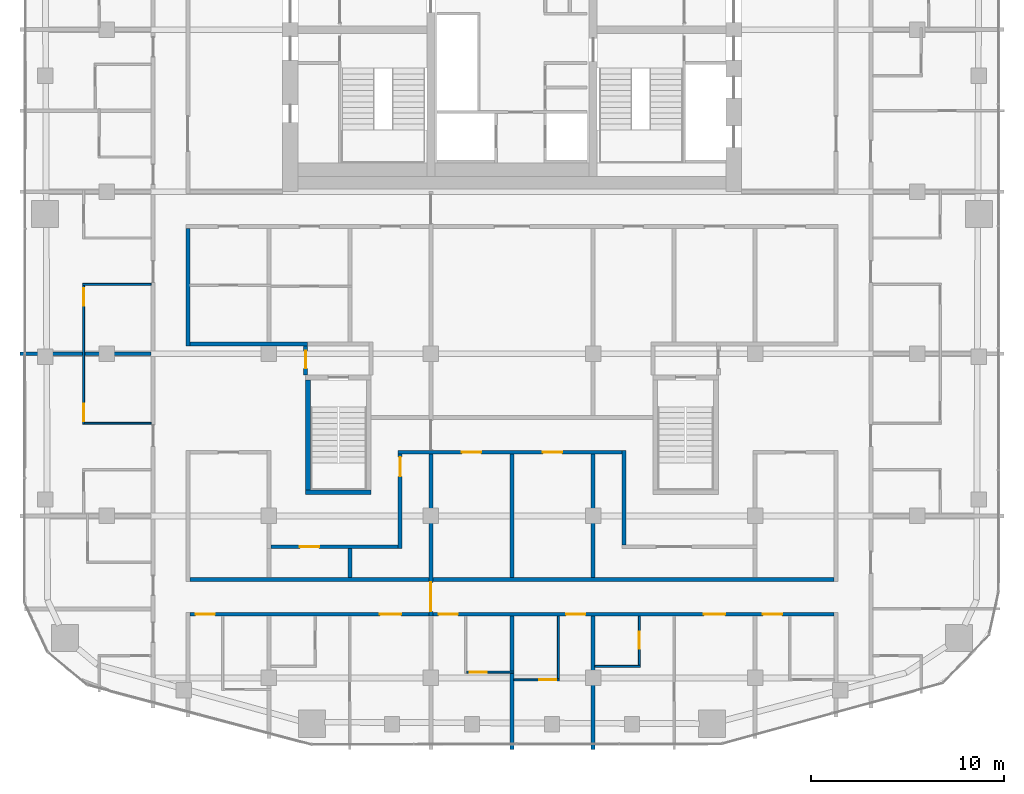
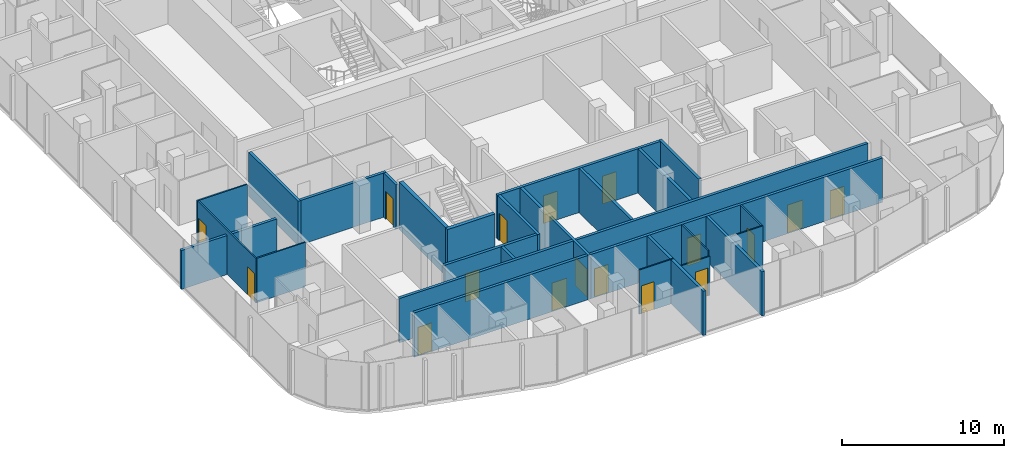
# One storey, part 14 of 22: 26 walls, 17 doors, 17 openings.
"""IFC4 building model written with IfcOpenShell, lengths in metres."""

from ifc_helpers import new_model, si_unit, direction, frame, frame_2d, origin, place, context, subcontext, project, spatial, rectangle, extrude, material, layer, layer_set, type_object, element, fill, save


model = new_model("IFC4")

# Units and contexts
model_context = context("Model", 3, precision=1e-05, world=origin(), true_north=direction((0.0, 1.0)))
body_context = subcontext(model_context, "Body", "Model", "MODEL_VIEW")
ifc_project = project(units=[si_unit("LENGTHUNIT", "METRE"), si_unit("AREAUNIT", "SQUARE_METRE"), si_unit("VOLUMEUNIT", "CUBIC_METRE"), si_unit("PLANEANGLEUNIT", "RADIAN"), si_unit("MASSUNIT", "GRAM", prefix="KILO")], contexts=[model_context])

# Site, building, storey
site_placement = place(None, origin())
site = spatial("IfcSite", under=ifc_project, at=site_placement, CompositionType="ELEMENT")
building_placement = place(site_placement, origin())
building = spatial("IfcBuilding", under=site, at=building_placement, Name="Marenta Gate Hotel Tower", CompositionType="ELEMENT")
storey_placement = place(building_placement, frame((0.0, 0.0, 230.89990234375)))
storey = spatial("IfcBuildingStorey", under=building, at=storey_placement, Name="L54", CompositionType="ELEMENT", Elevation=230.89990234375)

# Wall, opening, door
ifc_material_1 = material(Name="Concrete blockwork", Category="masonry")
ifc_layer_1 = layer(ifc_material_1, 0.199951171875)
ifc_layer_set_1 = layer_set([ifc_layer_1], Name="Concrete blockwork")
wall_type_1 = type_object("IfcWallType", Name="Compartment wall 200 REI 180", PredefinedType="PARTITIONING", material=ifc_layer_set_1)
wall_1_placement = place(storey_placement, frame((-4.199951171875, -22.0, 0.0), z_axis=(0.0, 0.0, 1.0), x_axis=(0.0, 1.0, 0.0)))
wall_1 = element("IfcWall", 1, at=wall_1_placement, inside=storey, type_object=wall_type_1, Name="L54-PTN-W079", PredefinedType="PARTITIONING", context=body_context, shape_type="SweptSolid", body=[
    extrude(rectangle(XDim=8.39990234375, YDim=0.199951171875, at=frame_2d((4.199951171875, 0.0))), origin(), (0.0, 0.0, 1.0), 3.340087890625),
])
opening_1_placement = place(wall_1_placement, frame((0.25, 0.0, 0.0)))
opening_1 = element("IfcOpeningElement", 2, at=opening_1_placement, cuts=wall_1, Name="Opening G20-FD4", PredefinedType="OPENING", context=body_context, shape_type="SweptSolid", body=[
    extrude(rectangle(XDim=1.5, YDim=2.10009765625, at=frame_2d((0.75, 1.050048828125))), frame((0.0, 0.10009765625, 0.0), z_axis=(0.0, -1.0, 0.0), x_axis=(1.0, 0.0, 0.0)), (0.0, 0.0, 1.0), 0.199951171875),
])
ifc_material_2 = material(Name="Hollow steel door set", Category="steel")
door_type_1 = type_object("IfcDoorType", Name="Compartment fire door 1500x2100 EI 60", OperationType="DOUBLE_DOOR_DOUBLE_SWING", PredefinedType="DOOR", material=ifc_material_2)
door_1_placement = place(opening_1_placement, origin())
door_1 = element("IfcDoor", 3, at=door_1_placement, inside=storey, type_object=door_type_1, Name="L54-PD-FD04", OperationType="DOUBLE_DOOR_DOUBLE_SWING", OverallHeight=2.10009765625, OverallWidth=1.5, PredefinedType="DOOR", context=body_context, shape_type="SweptSolid", body=[
    extrude(rectangle(XDim=1.5, YDim=2.10009765625, at=frame_2d((0.75, 1.050048828125))), frame((0.0, 0.02490234375, 0.0), z_axis=(0.0, -1.0, 0.0), x_axis=(1.0, 0.0, 0.0)), (0.0, 0.0, 1.0), 0.050048828125),
])
fill(opening_1, door_1)

# Walls
ifc_material_3 = material(Name="Concrete C40", Category="concrete")
ifc_layer_2 = layer(ifc_material_3, 0.25)
ifc_layer_set_2 = layer_set([ifc_layer_2], Name="Concrete C40")
wall_type_2 = type_object("IfcWallType", Name="Remote stair enclosure wall 250 REI 180", PredefinedType="SHEAR", material=ifc_layer_set_2)
wall_2_placement = place(storey_placement, frame((-10.699951171875, -15.574951171875, 0.10009765625), z_axis=(0.0, 0.0, 1.0), x_axis=(1.0, 0.0, 0.0)))
element("IfcWall", 4, at=wall_2_placement, inside=storey, type_object=wall_type_2, Name="L54-RS-Z3-1-W1", PredefinedType="SHEAR", context=body_context, shape_type="SweptSolid", body=[
    extrude(rectangle(XDim=3.39990234375, YDim=0.25, at=frame_2d((1.699951171875, 0.0))), origin(), (0.0, 0.0, 1.0), 3.60009765625),
])
wall_3_placement = place(storey_placement, frame((-10.574951171875, -15.449951171875, 0.10009765625), z_axis=(0.0, 0.0, 1.0), x_axis=(0.0, 1.0, 0.0)))
element("IfcWall", 5, at=wall_3_placement, inside=storey, type_object=wall_type_2, Name="L54-RS-Z3-1-W3", PredefinedType="SHEAR", context=body_context, shape_type="SweptSolid", body=[
    extrude(rectangle(XDim=5.699951171875, YDim=0.25, at=frame_2d((2.85009765625, 0.0))), origin(), (0.0, 0.0, 1.0), 3.60009765625),
])
ifc_material_4 = material(Name="Concrete blockwork", Category="masonry")
ifc_layer_3 = layer(ifc_material_4, 0.199951171875)
ifc_layer_set_3 = layer_set([ifc_layer_3], Name="Concrete blockwork")
wall_type_3 = type_object("IfcWallType", Name="Room corridor wall 200 EI 120", PredefinedType="PARTITIONING", material=ifc_layer_set_3)
wall_4_placement = place(storey_placement, frame((-16.699951171875, -7.89990234375, 0.0), z_axis=(0.0, 0.0, 1.0), x_axis=(1.0, 0.0, 0.0)))
element("IfcWall", 6, at=wall_4_placement, inside=storey, type_object=wall_type_3, Name="L54-PTN-W052", PredefinedType="PARTITIONING", context=body_context, shape_type="SweptSolid", body=[
    extrude(rectangle(XDim=6.099853515625, YDim=0.199951171875, at=frame_2d((3.0498046875, 0.0))), origin(), (0.0, 0.0, 1.0), 3.340087890625),
])

# Wall, openings, doors
ifc_material_5 = material(Name="Gypsum board on steel stud", Category="steel")
ifc_layer_4 = layer(ifc_material_5, 0.199951171875)
ifc_layer_set_4 = layer_set([ifc_layer_4], Name="Gypsum board on steel stud")
wall_type_4 = type_object("IfcWallType", Name="Room corridor wall 200 EI 60", PredefinedType="PARTITIONING", material=ifc_layer_set_4)
wall_5_placement = place(storey_placement, frame((-16.699951171875, -21.89990234375, 0.0), z_axis=(0.0, 0.0, 1.0), x_axis=(1.0, 0.0, 0.0)))
wall_5 = element("IfcWall", 7, at=wall_5_placement, inside=storey, type_object=wall_type_4, Name="L54-PTN-W015", PredefinedType="PARTITIONING", context=body_context, shape_type="SweptSolid", body=[
    extrude(rectangle(XDim=33.39990234375, YDim=0.199951171875, at=frame_2d((16.699951171875, 0.0))), origin(), (0.0, 0.0, 1.0), 3.340087890625),
])
opening_2_placement = place(wall_5_placement, frame((0.300048828125, 0.0, 0.0)))
opening_2 = element("IfcOpeningElement", 8, at=opening_2_placement, cuts=wall_5, Name="Opening G20-38", PredefinedType="OPENING", context=body_context, shape_type="SweptSolid", body=[
    extrude(rectangle(XDim=1.0, YDim=2.10009765625, at=frame_2d((0.5, 1.050048828125))), frame((0.0, 0.10009765625, 0.0), z_axis=(0.0, -1.0, 0.0), x_axis=(1.0, 0.0, 0.0)), (0.0, 0.0, 1.0), 0.199951171875),
])
opening_3_placement = place(wall_5_placement, frame((9.85009765625, 0.0, 0.0)))
opening_3 = element("IfcOpeningElement", 9, at=opening_3_placement, cuts=wall_5, Name="Opening G20-40", PredefinedType="OPENING", context=body_context, shape_type="SweptSolid", body=[
    extrude(rectangle(XDim=1.10009765625, YDim=2.10009765625, at=frame_2d((0.550048828125, 1.050048828125))), frame((0.0, 0.10009765625, 0.0), z_axis=(0.0, -1.0, 0.0), x_axis=(1.0, 0.0, 0.0)), (0.0, 0.0, 1.0), 0.199951171875),
])
opening_4_placement = place(wall_5_placement, frame((12.89990234375, 0.0, 0.0)))
opening_4 = element("IfcOpeningElement", 10, at=opening_4_placement, cuts=wall_5, Name="Opening G20-43", PredefinedType="OPENING", context=body_context, shape_type="SweptSolid", body=[
    extrude(rectangle(XDim=1.0, YDim=2.10009765625, at=frame_2d((0.5, 1.050048828125))), frame((0.0, 0.10009765625, 0.0), z_axis=(0.0, -1.0, 0.0), x_axis=(1.0, 0.0, 0.0)), (0.0, 0.0, 1.0), 0.199951171875),
])
opening_5_placement = place(wall_5_placement, frame((19.5, 0.0, 0.0)))
opening_5 = element("IfcOpeningElement", 11, at=opening_5_placement, cuts=wall_5, Name="Opening G20-45", PredefinedType="OPENING", context=body_context, shape_type="SweptSolid", body=[
    extrude(rectangle(XDim=1.0, YDim=2.10009765625, at=frame_2d((0.5, 1.050048828125))), frame((0.0, 0.10009765625, 0.0), z_axis=(0.0, -1.0, 0.0), x_axis=(1.0, 0.0, 0.0)), (0.0, 0.0, 1.0), 0.199951171875),
])
opening_6_placement = place(wall_5_placement, frame((26.64990234375, 0.0, 0.0)))
opening_6 = element("IfcOpeningElement", 12, at=opening_6_placement, cuts=wall_5, Name="Opening G20-47", PredefinedType="OPENING", context=body_context, shape_type="SweptSolid", body=[
    extrude(rectangle(XDim=1.10009765625, YDim=2.10009765625, at=frame_2d((0.550048828125, 1.050048828125))), frame((0.0, 0.10009765625, 0.0), z_axis=(0.0, -1.0, 0.0), x_axis=(1.0, 0.0, 0.0)), (0.0, 0.0, 1.0), 0.199951171875),
])
opening_7_placement = place(wall_5_placement, frame((29.699951171875, 0.0, 0.0)))
opening_7 = element("IfcOpeningElement", 13, at=opening_7_placement, cuts=wall_5, Name="Opening G20-50", PredefinedType="OPENING", context=body_context, shape_type="SweptSolid", body=[
    extrude(rectangle(XDim=1.0, YDim=2.10009765625, at=frame_2d((0.5, 1.050048828125))), frame((0.0, 0.10009765625, 0.0), z_axis=(0.0, -1.0, 0.0), x_axis=(1.0, 0.0, 0.0)), (0.0, 0.0, 1.0), 0.199951171875),
])
ifc_material_6 = material(Name="Timber door leaf", Category="wood")
door_type_2 = type_object("IfcDoorType", Name="Guest room door 1000x2100 EI 30", OperationType="NOTDEFINED", PredefinedType="DOOR", material=ifc_material_6)
door_2_placement = place(opening_2_placement, origin())
door_2 = element("IfcDoor", 14, at=door_2_placement, inside=storey, type_object=door_type_2, Name="L54-PD-D038", OperationType="SINGLE_SWING_RIGHT", OverallHeight=2.10009765625, OverallWidth=1.0, PredefinedType="DOOR", context=body_context, shape_type="SweptSolid", body=[
    extrude(rectangle(XDim=1.0, YDim=2.10009765625, at=frame_2d((0.5, 1.050048828125))), frame((0.0, 0.02490234375, 0.0), z_axis=(0.0, -1.0, 0.0), x_axis=(1.0, 0.0, 0.0)), (0.0, 0.0, 1.0), 0.050048828125),
])
fill(opening_2, door_2)
door_3_placement = place(opening_4_placement, origin())
door_3 = element("IfcDoor", 15, at=door_3_placement, inside=storey, type_object=door_type_2, Name="L54-PD-D043", OperationType="SINGLE_SWING_LEFT", OverallHeight=2.10009765625, OverallWidth=1.0, PredefinedType="DOOR", context=body_context, shape_type="SweptSolid", body=[
    extrude(rectangle(XDim=1.0, YDim=2.10009765625, at=frame_2d((0.5, 1.050048828125))), frame((0.0, 0.02490234375, 0.0), z_axis=(0.0, -1.0, 0.0), x_axis=(1.0, 0.0, 0.0)), (0.0, 0.0, 1.0), 0.050048828125),
])
fill(opening_4, door_3)
door_4_placement = place(opening_5_placement, origin())
door_4 = element("IfcDoor", 16, at=door_4_placement, inside=storey, type_object=door_type_2, Name="L54-PD-D045", OperationType="SINGLE_SWING_LEFT", OverallHeight=2.10009765625, OverallWidth=1.0, PredefinedType="DOOR", context=body_context, shape_type="SweptSolid", body=[
    extrude(rectangle(XDim=1.0, YDim=2.10009765625, at=frame_2d((0.5, 1.050048828125))), frame((0.0, 0.02490234375, 0.0), z_axis=(0.0, -1.0, 0.0), x_axis=(1.0, 0.0, 0.0)), (0.0, 0.0, 1.0), 0.050048828125),
])
fill(opening_5, door_4)
door_5_placement = place(opening_7_placement, origin())
door_5 = element("IfcDoor", 17, at=door_5_placement, inside=storey, type_object=door_type_2, Name="L54-PD-D050", OperationType="SINGLE_SWING_RIGHT", OverallHeight=2.10009765625, OverallWidth=1.0, PredefinedType="DOOR", context=body_context, shape_type="SweptSolid", body=[
    extrude(rectangle(XDim=1.0, YDim=2.10009765625, at=frame_2d((0.5, 1.050048828125))), frame((0.0, 0.02490234375, 0.0), z_axis=(0.0, -1.0, 0.0), x_axis=(1.0, 0.0, 0.0)), (0.0, 0.0, 1.0), 0.050048828125),
])
fill(opening_7, door_5)
ifc_material_7 = material(Name="Timber door leaf", Category="wood")
door_type_3 = type_object("IfcDoorType", Name="Guest room door 1100x2100 EI 30", OperationType="NOTDEFINED", PredefinedType="DOOR", material=ifc_material_7)
door_6_placement = place(opening_3_placement, origin())
door_6 = element("IfcDoor", 18, at=door_6_placement, inside=storey, type_object=door_type_3, Name="L54-PD-D040", OperationType="SINGLE_SWING_RIGHT", OverallHeight=2.10009765625, OverallWidth=1.10009765625, PredefinedType="DOOR", context=body_context, shape_type="SweptSolid", body=[
    extrude(rectangle(XDim=1.10009765625, YDim=2.10009765625, at=frame_2d((0.550048828125, 1.050048828125))), frame((0.0, 0.02490234375, 0.0), z_axis=(0.0, -1.0, 0.0), x_axis=(1.0, 0.0, 0.0)), (0.0, 0.0, 1.0), 0.050048828125),
])
fill(opening_3, door_6)
door_7_placement = place(opening_6_placement, origin())
door_7 = element("IfcDoor", 19, at=door_7_placement, inside=storey, type_object=door_type_3, Name="L54-PD-D047", OperationType="SINGLE_SWING_LEFT", OverallHeight=2.10009765625, OverallWidth=1.10009765625, PredefinedType="DOOR", context=body_context, shape_type="SweptSolid", body=[
    extrude(rectangle(XDim=1.10009765625, YDim=2.10009765625, at=frame_2d((0.550048828125, 1.050048828125))), frame((0.0, 0.02490234375, 0.0), z_axis=(0.0, -1.0, 0.0), x_axis=(1.0, 0.0, 0.0)), (0.0, 0.0, 1.0), 0.050048828125),
])
fill(opening_6, door_7)

# Wall
wall_6_placement = place(storey_placement, frame((-16.699951171875, -20.10009765625, 0.0), z_axis=(0.0, 0.0, 1.0), x_axis=(1.0, 0.0, 0.0)))
element("IfcWall", 20, at=wall_6_placement, inside=storey, type_object=wall_type_4, Name="L54-PTN-W021", PredefinedType="PARTITIONING", context=body_context, shape_type="SweptSolid", body=[
    extrude(rectangle(XDim=33.39990234375, YDim=0.199951171875, at=frame_2d((16.699951171875, 0.0))), origin(), (0.0, 0.0, 1.0), 3.340087890625),
])

# Wall, opening, door
wall_7_placement = place(storey_placement, frame((-12.5, -18.39990234375, 0.0), z_axis=(0.0, 0.0, 1.0), x_axis=(1.0, 0.0, 0.0)))
wall_7 = element("IfcWall", 21, at=wall_7_placement, inside=storey, type_object=wall_type_4, Name="L54-PTN-W024", PredefinedType="PARTITIONING", context=body_context, shape_type="SweptSolid", body=[
    extrude(rectangle(XDim=6.60009765625, YDim=0.199951171875, at=frame_2d((3.300048828125, 0.0))), origin(), (0.0, 0.0, 1.0), 3.340087890625),
])
opening_8_placement = place(wall_7_placement, frame((1.5, 0.0, 0.0)))
opening_8 = element("IfcOpeningElement", 22, at=opening_8_placement, cuts=wall_7, Name="Opening G20-11", PredefinedType="OPENING", context=body_context, shape_type="SweptSolid", body=[
    extrude(rectangle(XDim=1.0, YDim=2.10009765625, at=frame_2d((0.5, 1.050048828125))), frame((0.0, 0.10009765625, 0.0), z_axis=(0.0, -1.0, 0.0), x_axis=(1.0, 0.0, 0.0)), (0.0, 0.0, 1.0), 0.199951171875),
])
ifc_material_8 = material(Name="Timber door leaf", Category="wood")
door_type_4 = type_object("IfcDoorType", Name="Room amenity door 1000x2100 EI 30", OperationType="NOTDEFINED", PredefinedType="DOOR", material=ifc_material_8)
door_8_placement = place(opening_8_placement, origin())
door_8 = element("IfcDoor", 23, at=door_8_placement, inside=storey, type_object=door_type_4, Name="L54-PD-D011", OperationType="SINGLE_SWING_RIGHT", OverallHeight=2.10009765625, OverallWidth=1.0, PredefinedType="DOOR", context=body_context, shape_type="SweptSolid", body=[
    extrude(rectangle(XDim=1.0, YDim=2.10009765625, at=frame_2d((0.5, 1.050048828125))), frame((0.0, 0.02490234375, 0.0), z_axis=(0.0, -1.0, 0.0), x_axis=(1.0, 0.0, 0.0)), (0.0, 0.0, 1.0), 0.050048828125),
])
fill(opening_8, door_8)

# Wall, openings, doors
wall_8_placement = place(storey_placement, frame((-5.89990234375, -13.5, 0.0), z_axis=(0.0, 0.0, 1.0), x_axis=(1.0, 0.0, 0.0)))
wall_8 = element("IfcWall", 24, at=wall_8_placement, inside=storey, type_object=wall_type_4, Name="L54-PTN-W036", PredefinedType="PARTITIONING", context=body_context, shape_type="SweptSolid", body=[
    extrude(rectangle(XDim=11.599853515625, YDim=0.199951171875, at=frame_2d((5.7998046875, 0.0))), origin(), (0.0, 0.0, 1.0), 3.340087890625),
])
opening_9_placement = place(wall_8_placement, frame((3.300048828125, 0.0, 0.0)))
opening_9 = element("IfcOpeningElement", 25, at=opening_9_placement, cuts=wall_8, Name="Opening G20-13", PredefinedType="OPENING", context=body_context, shape_type="SweptSolid", body=[
    extrude(rectangle(XDim=1.0, YDim=2.10009765625, at=frame_2d((0.5, 1.050048828125))), frame((0.0, 0.10009765625, 0.0), z_axis=(0.0, -1.0, 0.0), x_axis=(1.0, 0.0, 0.0)), (0.0, 0.0, 1.0), 0.199951171875),
])
opening_10_placement = place(wall_8_placement, frame((7.5, 0.0, 0.0)))
opening_10 = element("IfcOpeningElement", 26, at=opening_10_placement, cuts=wall_8, Name="Opening G20-14", PredefinedType="OPENING", context=body_context, shape_type="SweptSolid", body=[
    extrude(rectangle(XDim=1.0, YDim=2.10009765625, at=frame_2d((0.5, 1.050048828125))), frame((0.0, 0.10009765625, 0.0), z_axis=(0.0, -1.0, 0.0), x_axis=(1.0, 0.0, 0.0)), (0.0, 0.0, 1.0), 0.199951171875),
])
door_9_placement = place(opening_9_placement, origin())
door_9 = element("IfcDoor", 27, at=door_9_placement, inside=storey, type_object=door_type_4, Name="L54-PD-D013", OperationType="SINGLE_SWING_LEFT", OverallHeight=2.10009765625, OverallWidth=1.0, PredefinedType="DOOR", context=body_context, shape_type="SweptSolid", body=[
    extrude(rectangle(XDim=1.0, YDim=2.10009765625, at=frame_2d((0.5, 1.050048828125))), frame((0.0, 0.02490234375, 0.0), z_axis=(0.0, -1.0, 0.0), x_axis=(1.0, 0.0, 0.0)), (0.0, 0.0, 1.0), 0.050048828125),
])
fill(opening_9, door_9)
door_10_placement = place(opening_10_placement, origin())
door_10 = element("IfcDoor", 28, at=door_10_placement, inside=storey, type_object=door_type_4, Name="L54-PD-D014", OperationType="SINGLE_SWING_RIGHT", OverallHeight=2.10009765625, OverallWidth=1.0, PredefinedType="DOOR", context=body_context, shape_type="SweptSolid", body=[
    extrude(rectangle(XDim=1.0, YDim=2.10009765625, at=frame_2d((0.5, 1.050048828125))), frame((0.0, 0.02490234375, 0.0), z_axis=(0.0, -1.0, 0.0), x_axis=(1.0, 0.0, 0.0)), (0.0, 0.0, 1.0), 0.050048828125),
])
fill(opening_10, door_10)

# Wall
wall_9_placement = place(storey_placement, frame((5.800048828125, -18.300048828125, 0.0), z_axis=(0.0, 0.0, 1.0), x_axis=(0.0, 1.0, 0.0)))
element("IfcWall", 29, at=wall_9_placement, inside=storey, type_object=wall_type_4, Name="L54-PTN-W058", PredefinedType="PARTITIONING", context=body_context, shape_type="SweptSolid", body=[
    extrude(rectangle(XDim=4.900146484375, YDim=0.199951171875, at=frame_2d((2.4501953125, 0.0))), origin(), (0.0, 0.0, 1.0), 3.340087890625),
])

# Wall, opening, door
wall_10_placement = place(storey_placement, frame((-5.800048828125, -18.5, 0.0), z_axis=(0.0, 0.0, 1.0), x_axis=(0.0, 1.0, 0.0)))
wall_10 = element("IfcWall", 30, at=wall_10_placement, inside=storey, type_object=wall_type_4, Name="L54-PTN-W084", PredefinedType="PARTITIONING", context=body_context, shape_type="SweptSolid", body=[
    extrude(rectangle(XDim=4.89990234375, YDim=0.199951171875, at=frame_2d((2.449951171875, 0.0))), origin(), (0.0, 0.0, 1.0), 3.340087890625),
])
opening_11_placement = place(wall_10_placement, frame((3.75, 0.0, 0.0)))
opening_11 = element("IfcOpeningElement", 31, at=opening_11_placement, cuts=wall_10, Name="Opening G20-12", PredefinedType="OPENING", context=body_context, shape_type="SweptSolid", body=[
    extrude(rectangle(XDim=1.0, YDim=2.10009765625, at=frame_2d((0.5, 1.050048828125))), frame((0.0, 0.10009765625, 0.0), z_axis=(0.0, -1.0, 0.0), x_axis=(1.0, 0.0, 0.0)), (0.0, 0.0, 1.0), 0.199951171875),
])
door_11_placement = place(opening_11_placement, origin())
door_11 = element("IfcDoor", 32, at=door_11_placement, inside=storey, type_object=door_type_4, Name="L54-PD-D012", OperationType="SINGLE_SWING_RIGHT", OverallHeight=2.10009765625, OverallWidth=1.0, PredefinedType="DOOR", context=body_context, shape_type="SweptSolid", body=[
    extrude(rectangle(XDim=1.0, YDim=2.10009765625, at=frame_2d((0.5, 1.050048828125))), frame((0.0, 0.02490234375, 0.0), z_axis=(0.0, -1.0, 0.0), x_axis=(1.0, 0.0, 0.0)), (0.0, 0.0, 1.0), 0.050048828125),
])
fill(opening_11, door_11)

# Wall
wall_11_placement = place(storey_placement, frame((-16.800048828125, -8.0, 0.0), z_axis=(0.0, 0.0, 1.0), x_axis=(0.0, 1.0, 0.0)))
element("IfcWall", 33, at=wall_11_placement, inside=storey, type_object=wall_type_4, Name="L54-PTN-W109", PredefinedType="PARTITIONING", context=body_context, shape_type="SweptSolid", body=[
    extrude(rectangle(XDim=6.10009765625, YDim=0.199951171875, at=frame_2d((3.050048828125, 0.0))), origin(), (0.0, 0.0, 1.0), 3.340087890625),
])

# Wall, opening, door
ifc_material_9 = material(Name="Concrete blockwork", Category="masonry")
ifc_layer_5 = layer(ifc_material_9, 0.199951171875)
ifc_layer_set_5 = layer_set([ifc_layer_5], Name="Concrete blockwork")
wall_type_5 = type_object("IfcWallType", Name="Room corridor wall 200 REI 180", PredefinedType="PARTITIONING", material=ifc_layer_set_5)
wall_12_placement = place(storey_placement, frame((-10.699951171875, -9.5, 0.0), z_axis=(0.0, 0.0, 1.0), x_axis=(0.0, 1.0, 0.0)))
wall_12 = element("IfcWall", 34, at=wall_12_placement, inside=storey, type_object=wall_type_5, Name="L54-PTN-W094", PredefinedType="PARTITIONING", context=body_context, shape_type="SweptSolid", body=[
    extrude(rectangle(XDim=1.5, YDim=0.199951171875, at=frame_2d((0.75, 0.0))), origin(), (0.0, 0.0, 1.0), 3.340087890625),
])
opening_12_placement = place(wall_12_placement, frame((0.35009765625, 0.0, 0.0)))
opening_12 = element("IfcOpeningElement", 35, at=opening_12_placement, cuts=wall_12, Name="Opening G20-72", PredefinedType="OPENING", context=body_context, shape_type="SweptSolid", body=[
    extrude(rectangle(XDim=0.89990234375, YDim=2.10009765625, at=frame_2d((0.449951171875, 1.050048828125))), frame((0.0, 0.10009765625, 0.0), z_axis=(0.0, -1.0, 0.0), x_axis=(1.0, 0.0, 0.0)), (0.0, 0.0, 1.0), 0.199951171875),
])
ifc_material_10 = material(Name="Hollow steel door set", Category="steel")
door_type_5 = type_object("IfcDoorType", Name="Stair vestibule door 900x2100 EI 60", OperationType="NOTDEFINED", PredefinedType="DOOR", material=ifc_material_10)
door_12_placement = place(opening_12_placement, origin())
door_12 = element("IfcDoor", 36, at=door_12_placement, inside=storey, type_object=door_type_5, Name="L54-PD-D072", OperationType="SINGLE_SWING_LEFT", OverallHeight=2.10009765625, OverallWidth=0.89990234375, PredefinedType="DOOR", context=body_context, shape_type="SweptSolid", body=[
    extrude(rectangle(XDim=0.89990234375, YDim=2.10009765625, at=frame_2d((0.449951171875, 1.050048828125))), frame((0.0, 0.02490234375, 0.0), z_axis=(0.0, -1.0, 0.0), x_axis=(1.0, 0.0, 0.0)), (0.0, 0.0, 1.0), 0.050048828125),
])
fill(opening_12, door_12)

ifc_material_11 = material(Name="Gypsum board on steel stud", Category="steel")
ifc_layer_6 = layer(ifc_material_11, 0.10009765625)
ifc_layer_set_6 = layer_set([ifc_layer_6], Name="Gypsum board on steel stud")
wall_type_6 = type_object("IfcWallType", Name="Room partition 100", PredefinedType="PARTITIONING", material=ifc_layer_set_6)
wall_13_placement = place(storey_placement, frame((0.10009765625, -25.300048828125, 0.0), z_axis=(0.0, 0.0, 1.0), x_axis=(1.0, 0.0, 0.0)))
wall_13 = element("IfcWall", 37, at=wall_13_placement, inside=storey, type_object=wall_type_6, Name="L54-PTN-W003", PredefinedType="PARTITIONING", context=body_context, shape_type="SweptSolid", body=[
    extrude(rectangle(XDim=2.349853515625, YDim=0.10009765625, at=frame_2d((1.1748046875, 0.0))), origin(), (0.0, 0.0, 1.0), 2.940185546875),
])
opening_13_placement = place(wall_13_placement, frame((1.300048828125, 0.0, 0.0)))
opening_13 = element("IfcOpeningElement", 38, at=opening_13_placement, cuts=wall_13, Name="Opening G20-46", PredefinedType="OPENING", context=body_context, shape_type="SweptSolid", body=[
    extrude(rectangle(XDim=0.89990234375, YDim=2.10009765625, at=frame_2d((0.449951171875, 1.050048828125))), frame((0.0, 0.050048828125, 0.0), z_axis=(0.0, -1.0, 0.0), x_axis=(1.0, 0.0, 0.0)), (0.0, 0.0, 1.0), 0.10009765625),
])
ifc_material_12 = material(Name="Timber door leaf", Category="wood")
door_type_6 = type_object("IfcDoorType", Name="Guest bathroom door 900x2100", OperationType="NOTDEFINED", PredefinedType="DOOR", material=ifc_material_12)
door_13_placement = place(opening_13_placement, origin())
door_13 = element("IfcDoor", 39, at=door_13_placement, inside=storey, type_object=door_type_6, Name="L54-PD-D046", OperationType="SINGLE_SWING_RIGHT", OverallHeight=2.10009765625, OverallWidth=0.89990234375, PredefinedType="DOOR", context=body_context, shape_type="SweptSolid", body=[
    extrude(rectangle(XDim=0.89990234375, YDim=2.10009765625, at=frame_2d((0.449951171875, 1.050048828125))), frame((0.0, 0.02490234375, 0.0), z_axis=(0.0, -1.0, 0.0), x_axis=(1.0, 0.0, 0.0)), (0.0, 0.0, 1.0), 0.050048828125),
])
fill(opening_13, door_13)

wall_14_placement = place(storey_placement, frame((-2.35009765625, -24.89990234375, 0.0), z_axis=(0.0, 0.0, 1.0), x_axis=(1.0, 0.0, 0.0)))
wall_14 = element("IfcWall", 40, at=wall_14_placement, inside=storey, type_object=wall_type_6, Name="L54-PTN-W005", PredefinedType="PARTITIONING", context=body_context, shape_type="SweptSolid", body=[
    extrude(rectangle(XDim=2.4501953125, YDim=0.10009765625, at=frame_2d((1.22509765625, 0.0))), origin(), (0.0, 0.0, 1.0), 3.340087890625),
])
opening_14_placement = place(wall_14_placement, frame((0.14990234375, 0.0, 0.0)))
opening_14 = element("IfcOpeningElement", 41, at=opening_14_placement, cuts=wall_14, Name="Opening G20-44", PredefinedType="OPENING", context=body_context, shape_type="SweptSolid", body=[
    extrude(rectangle(XDim=0.89990234375, YDim=2.10009765625, at=frame_2d((0.449951171875, 1.050048828125))), frame((0.0, 0.050048828125, 0.0), z_axis=(0.0, -1.0, 0.0), x_axis=(1.0, 0.0, 0.0)), (0.0, 0.0, 1.0), 0.10009765625),
])
door_14_placement = place(opening_14_placement, origin())
door_14 = element("IfcDoor", 42, at=door_14_placement, inside=storey, type_object=door_type_6, Name="L54-PD-D044", OperationType="SINGLE_SWING_LEFT", OverallHeight=2.10009765625, OverallWidth=0.89990234375, PredefinedType="DOOR", context=body_context, shape_type="SweptSolid", body=[
    extrude(rectangle(XDim=0.89990234375, YDim=2.10009765625, at=frame_2d((0.449951171875, 1.050048828125))), frame((0.0, 0.02490234375, 0.0), z_axis=(0.0, -1.0, 0.0), x_axis=(1.0, 0.0, 0.0)), (0.0, 0.0, 1.0), 0.050048828125),
])
fill(opening_14, door_14)

# Walls
wall_15_placement = place(storey_placement, frame((4.300048828125, -24.60009765625, 0.0), z_axis=(0.0, 0.0, 1.0), x_axis=(1.0, 0.0, 0.0)))
element("IfcWall", 43, at=wall_15_placement, inside=storey, type_object=wall_type_6, Name="L54-PTN-W007", PredefinedType="PARTITIONING", context=body_context, shape_type="SweptSolid", body=[
    extrude(rectangle(XDim=2.349853515625, YDim=0.10009765625, at=frame_2d((1.1748046875, 0.0))), origin(), (0.0, 0.0, 1.0), 3.340087890625),
])
wall_16_placement = place(storey_placement, frame((-22.14990234375, -12.0, 0.0), z_axis=(0.0, 0.0, 1.0), x_axis=(1.0, 0.0, 0.0)))
element("IfcWall", 44, at=wall_16_placement, inside=storey, type_object=wall_type_6, Name="L54-PTN-W043", PredefinedType="PARTITIONING", context=body_context, shape_type="SweptSolid", body=[
    extrude(rectangle(XDim=3.449951171875, YDim=0.10009765625, at=frame_2d((1.72509765625, 0.0))), origin(), (0.0, 0.0, 1.0), 3.340087890625),
])

# Wall, opening, door
wall_17_placement = place(storey_placement, frame((6.60009765625, -24.550048828125, 0.0), z_axis=(0.0, 0.0, 1.0), x_axis=(0.0, 1.0, 0.0)))
wall_17 = element("IfcWall", 45, at=wall_17_placement, inside=storey, type_object=wall_type_6, Name="L54-PTN-W057", PredefinedType="PARTITIONING", context=body_context, shape_type="SweptSolid", body=[
    extrude(rectangle(XDim=2.550048828125, YDim=0.10009765625, at=frame_2d((1.27490234375, 0.0))), origin(), (0.0, 0.0, 1.0), 3.340087890625),
])
opening_15_placement = place(wall_17_placement, frame((0.85009765625, 0.0, 0.0)))
opening_15 = element("IfcOpeningElement", 46, at=opening_15_placement, cuts=wall_17, Name="Opening G20-49", PredefinedType="OPENING", context=body_context, shape_type="SweptSolid", body=[
    extrude(rectangle(XDim=0.89990234375, YDim=2.10009765625, at=frame_2d((0.449951171875, 1.050048828125))), frame((0.0, 0.050048828125, 0.0), z_axis=(0.0, -1.0, 0.0), x_axis=(1.0, 0.0, 0.0)), (0.0, 0.0, 1.0), 0.10009765625),
])
door_15_placement = place(opening_15_placement, origin())
door_15 = element("IfcDoor", 47, at=door_15_placement, inside=storey, type_object=door_type_6, Name="L54-PD-D049", OperationType="SINGLE_SWING_RIGHT", OverallHeight=2.10009765625, OverallWidth=0.89990234375, PredefinedType="DOOR", context=body_context, shape_type="SweptSolid", body=[
    extrude(rectangle(XDim=0.89990234375, YDim=2.10009765625, at=frame_2d((0.449951171875, 1.050048828125))), frame((0.0, 0.02490234375, 0.0), z_axis=(0.0, -1.0, 0.0), x_axis=(1.0, 0.0, 0.0)), (0.0, 0.0, 1.0), 0.050048828125),
])
fill(opening_15, door_15)

# Walls
wall_18_placement = place(storey_placement, frame((-22.25, -4.800048828125, 0.0), z_axis=(0.0, 0.0, 1.0), x_axis=(1.0, 0.0, 0.0)))
element("IfcWall", 48, at=wall_18_placement, inside=storey, type_object=wall_type_6, Name="L54-PTN-W061", PredefinedType="PARTITIONING", context=body_context, shape_type="SweptSolid", body=[
    extrude(rectangle(XDim=3.550048828125, YDim=0.10009765625, at=frame_2d((1.77490234375, 0.0))), origin(), (0.0, 0.0, 1.0), 3.340087890625),
])
wall_19_placement = place(storey_placement, frame((2.39990234375, -25.25, 0.0), z_axis=(0.0, 0.0, 1.0), x_axis=(0.0, 1.0, 0.0)))
element("IfcWall", 49, at=wall_19_placement, inside=storey, type_object=wall_type_6, Name="L54-PTN-W067", PredefinedType="PARTITIONING", context=body_context, shape_type="SweptSolid", body=[
    extrude(rectangle(XDim=3.25, YDim=0.10009765625, at=frame_2d((1.625, 0.0))), origin(), (0.0, 0.0, 1.0), 3.340087890625),
])

# Wall, openings, doors
wall_20_placement = place(storey_placement, frame((-22.199951171875, -12.050048828125, 0.0), z_axis=(0.0, 0.0, 1.0), x_axis=(0.0, 1.0, 0.0)))
wall_20 = element("IfcWall", 50, at=wall_20_placement, inside=storey, type_object=wall_type_6, Name="L54-PTN-W125", PredefinedType="PARTITIONING", context=body_context, shape_type="SweptSolid", body=[
    extrude(rectangle(XDim=7.199951171875, YDim=0.10009765625, at=frame_2d((3.60009765625, 0.0))), origin(), (0.0, 0.0, 1.0), 3.340087890625),
])
opening_16_placement = place(wall_20_placement, frame((0.14990234375, 0.0, 0.0)))
opening_16 = element("IfcOpeningElement", 51, at=opening_16_placement, cuts=wall_20, Name="Opening G20-57", PredefinedType="OPENING", context=body_context, shape_type="SweptSolid", body=[
    extrude(rectangle(XDim=0.89990234375, YDim=2.10009765625, at=frame_2d((0.449951171875, 1.050048828125))), frame((0.0, 0.050048828125, 0.0), z_axis=(0.0, -1.0, 0.0), x_axis=(1.0, 0.0, 0.0)), (0.0, 0.0, 1.0), 0.10009765625),
])
opening_17_placement = place(wall_20_placement, frame((6.14990234375, 0.0, 0.0)))
opening_17 = element("IfcOpeningElement", 52, at=opening_17_placement, cuts=wall_20, Name="Opening G20-60", PredefinedType="OPENING", context=body_context, shape_type="SweptSolid", body=[
    extrude(rectangle(XDim=0.89990234375, YDim=2.10009765625, at=frame_2d((0.449951171875, 1.050048828125))), frame((0.0, 0.050048828125, 0.0), z_axis=(0.0, -1.0, 0.0), x_axis=(1.0, 0.0, 0.0)), (0.0, 0.0, 1.0), 0.10009765625),
])
door_16_placement = place(opening_16_placement, origin())
door_16 = element("IfcDoor", 53, at=door_16_placement, inside=storey, type_object=door_type_6, Name="L54-PD-D057", OperationType="SINGLE_SWING_RIGHT", OverallHeight=2.10009765625, OverallWidth=0.89990234375, PredefinedType="DOOR", context=body_context, shape_type="SweptSolid", body=[
    extrude(rectangle(XDim=0.89990234375, YDim=2.10009765625, at=frame_2d((0.449951171875, 1.050048828125))), frame((0.0, 0.02490234375, 0.0), z_axis=(0.0, -1.0, 0.0), x_axis=(1.0, 0.0, 0.0)), (0.0, 0.0, 1.0), 0.050048828125),
])
fill(opening_16, door_16)
door_17_placement = place(opening_17_placement, origin())
door_17 = element("IfcDoor", 54, at=door_17_placement, inside=storey, type_object=door_type_6, Name="L54-PD-D060", OperationType="SINGLE_SWING_LEFT", OverallHeight=2.10009765625, OverallWidth=0.89990234375, PredefinedType="DOOR", context=body_context, shape_type="SweptSolid", body=[
    extrude(rectangle(XDim=0.89990234375, YDim=2.10009765625, at=frame_2d((0.449951171875, 1.050048828125))), frame((0.0, 0.02490234375, 0.0), z_axis=(0.0, -1.0, 0.0), x_axis=(1.0, 0.0, 0.0)), (0.0, 0.0, 1.0), 0.050048828125),
])
fill(opening_17, door_17)

# Walls
ifc_material_13 = material(Name="Gypsum board on steel stud", Category="steel")
ifc_layer_7 = layer(ifc_material_13, 0.199951171875)
ifc_layer_set_7 = layer_set([ifc_layer_7], Name="Gypsum board on steel stud")
wall_type_7 = type_object("IfcWallType", Name="Room party wall 200 EI 60", PredefinedType="PARTITIONING", material=ifc_layer_set_7)
wall_21_placement = place(storey_placement, frame((-25.5, -8.39990234375, 0.0), z_axis=(0.0, 0.0, 1.0), x_axis=(1.0, 0.0, 0.0)))
element("IfcWall", 55, at=wall_21_placement, inside=storey, type_object=wall_type_7, Name="L54-PTN-W050", PredefinedType="PARTITIONING", context=body_context, shape_type="SweptSolid", body=[
    extrude(rectangle(XDim=6.800048828125, YDim=0.199951171875, at=frame_2d((3.39990234375, 0.0))), origin(), (0.0, 0.0, 1.0), 2.940185546875),
])
wall_22_placement = place(storey_placement, frame((4.199951171875, -28.89990234375, 0.0), z_axis=(0.0, 0.0, 1.0), x_axis=(0.0, 1.0, 0.0)))
element("IfcWall", 56, at=wall_22_placement, inside=storey, type_object=wall_type_7, Name="L54-PTN-W063", PredefinedType="PARTITIONING", context=body_context, shape_type="SweptSolid", body=[
    extrude(rectangle(XDim=6.89990234375, YDim=0.199951171875, at=frame_2d((3.449951171875, 0.0))), origin(), (0.0, 0.0, 1.0), 3.340087890625),
])
wall_23_placement = place(storey_placement, frame((4.199951171875, -20.0, 0.0), z_axis=(0.0, 0.0, 1.0), x_axis=(0.0, 1.0, 0.0)))
element("IfcWall", 57, at=wall_23_placement, inside=storey, type_object=wall_type_7, Name="L54-PTN-W064", PredefinedType="PARTITIONING", context=body_context, shape_type="SweptSolid", body=[
    extrude(rectangle(XDim=6.39990234375, YDim=0.199951171875, at=frame_2d((3.199951171875, 0.0))), origin(), (0.0, 0.0, 1.0), 3.340087890625),
])
wall_24_placement = place(storey_placement, frame((0.0, -28.89990234375, 0.0), z_axis=(0.0, 0.0, 1.0), x_axis=(0.0, 1.0, 0.0)))
element("IfcWall", 58, at=wall_24_placement, inside=storey, type_object=wall_type_7, Name="L54-PTN-W071", PredefinedType="PARTITIONING", context=body_context, shape_type="SweptSolid", body=[
    extrude(rectangle(XDim=6.89990234375, YDim=0.199951171875, at=frame_2d((3.449951171875, 0.0))), origin(), (0.0, 0.0, 1.0), 3.340087890625),
])
wall_25_placement = place(storey_placement, frame((0.0, -20.0, 0.0), z_axis=(0.0, 0.0, 1.0), x_axis=(0.0, 1.0, 0.0)))
element("IfcWall", 59, at=wall_25_placement, inside=storey, type_object=wall_type_7, Name="L54-PTN-W072", PredefinedType="PARTITIONING", context=body_context, shape_type="SweptSolid", body=[
    extrude(rectangle(XDim=6.39990234375, YDim=0.199951171875, at=frame_2d((3.199951171875, 0.0))), origin(), (0.0, 0.0, 1.0), 3.340087890625),
])
wall_26_placement = place(storey_placement, frame((-8.39990234375, -20.0, 0.0), z_axis=(0.0, 0.0, 1.0), x_axis=(0.0, 1.0, 0.0)))
element("IfcWall", 60, at=wall_26_placement, inside=storey, type_object=wall_type_7, Name="L54-PTN-W089", PredefinedType="PARTITIONING", context=body_context, shape_type="SweptSolid", body=[
    extrude(rectangle(XDim=1.5, YDim=0.199951171875, at=frame_2d((0.75, 0.0))), origin(), (0.0, 0.0, 1.0), 3.340087890625),
])

save(model, "model.ifc")
